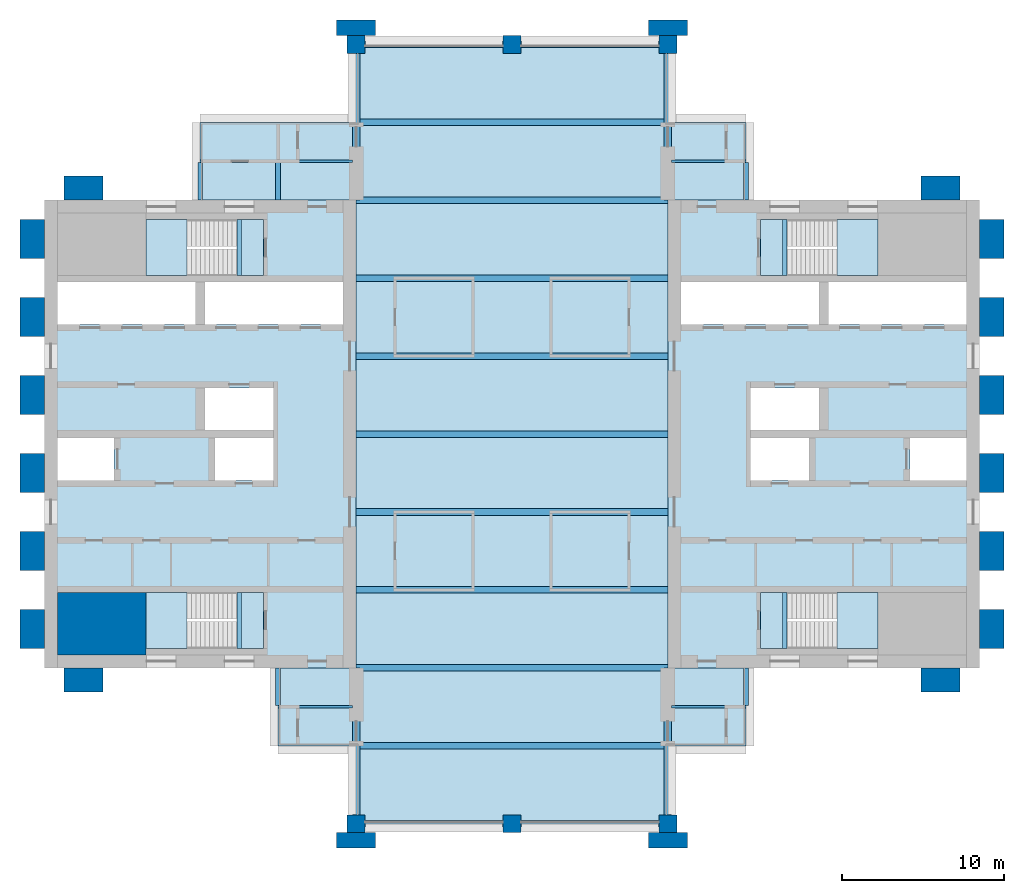
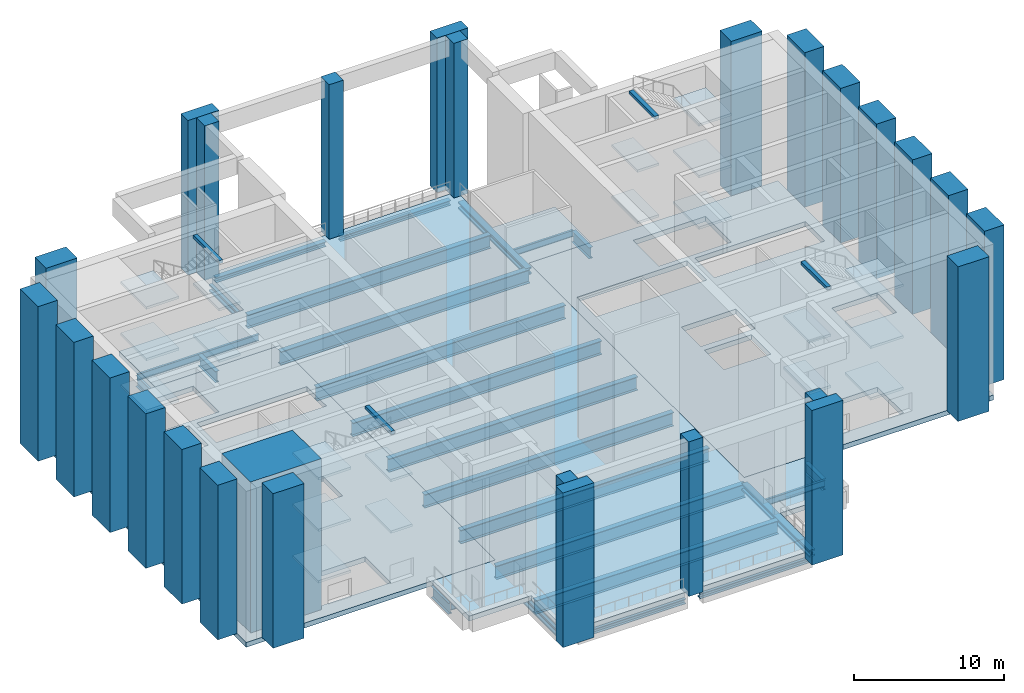
# One storey, part 1 of 8: 30 beams, 26 columns, 23 slabs, 1 wall, 4 elements without a shape of their own.
"""IFC4 building model written with IfcOpenShell, lengths in metres."""

from ifc_helpers import new_model, si_unit, direction, frame, frame_2d, origin, origin_2d, place, context, subcontext, project, spatial, polyline, rectangle, i_section, outline, extrude, material, layer, layer_set, material_profile, profile_set, type_object, element, aggregate, save


model = new_model("IFC4")

# Units and contexts
model_context = context("Model", 3, precision=1e-05, world=origin(), true_north=direction((0.0, 1.0)))
body_context = subcontext(model_context, "Body", "Model", "MODEL_VIEW")
ifc_project = project(units=[si_unit("LENGTHUNIT", "METRE"), si_unit("AREAUNIT", "SQUARE_METRE"), si_unit("VOLUMEUNIT", "CUBIC_METRE"), si_unit("PLANEANGLEUNIT", "RADIAN"), si_unit("MASSUNIT", "GRAM", prefix="KILO")], contexts=[model_context])

# Site, building, storey
site_placement = place(None, origin())
site = spatial("IfcSite", under=ifc_project, at=site_placement, CompositionType="ELEMENT")
building_placement = place(site_placement, origin())
building = spatial("IfcBuilding", under=site, at=building_placement, Name="Baori Bourse Tower", CompositionType="ELEMENT")
storey_placement = place(building_placement, frame((0.0, 0.0, 269.699951171875)))
storey = spatial("IfcBuildingStorey", under=building, at=storey_placement, Name="L60", CompositionType="ELEMENT", Elevation=269.699951171875)

# Columns
ifc_material_1 = material(Name="Concrete f'c 60 MPa", Category="concrete")
ifc_material_profile_1 = material_profile(ifc_material_1, rectangle(XDim=2.39990234375, YDim=0.949951171875, at=origin_2d()), Name="RC 2400x950")
ifc_profile_set_1 = profile_set([ifc_material_profile_1], Name="Concrete f'c 60 MPa")
column_type_1 = type_object("IfcColumnType", Name="FN3 Brick pilaster 2400x950", PredefinedType="PILASTER", material=ifc_profile_set_1)
for number, where, z_axis, x_axis, name in (
    (1, (19.199951171875, -1.02490234375, 0.0), (0.0, 0.0, 1.0), (1.0, 0.0, 0.0), "Brick pilaster L60 17"),
    (2, (38.39990234375, -1.02490234375, 0.0), (0.0, 0.0, 1.0), (1.0, 0.0, 0.0), "Brick pilaster L60 18"),
    (3, (19.199951171875, 49.02490234375, 0.0), (0.0, 0.0, 1.0), (1.0, 0.0, 0.0), "Brick pilaster L60 19"),
    (4, (38.39990234375, 49.02490234375, 0.0), (0.0, 0.0, 1.0), (1.0, 0.0, 0.0), "Brick pilaster L60 20"),
):
    element("IfcColumn", number, at=place(storey_placement, frame(where, z_axis=z_axis, x_axis=x_axis)), inside=storey, type_object=column_type_1, Name=name, PredefinedType="PILASTER", context=body_context, shape_type="SweptSolid", body=[
        extrude(rectangle(XDim=2.39990234375, YDim=0.949951171875, at=origin_2d()), origin(), (0.0, 0.0, 1.0), 12.60009765625),
    ])
ifc_material_2 = material(Name="Concrete f'c 60 MPa", Category="concrete")
ifc_material_profile_2 = material_profile(ifc_material_2, rectangle(XDim=2.39990234375, YDim=1.5, at=origin_2d()), Name="RC 2400x1500")
ifc_profile_set_2 = profile_set([ifc_material_profile_2], Name="Concrete f'c 60 MPa")
column_type_2 = type_object("IfcColumnType", Name="FN4 Brick flank pilaster 2400x1500", PredefinedType="PILASTER", material=ifc_profile_set_2)
for number, where, z_axis, x_axis, name in (
    (5, (55.199951171875, 8.85009765625, 0.0), (0.0, 0.0, 1.0), (1.0, 0.0, 0.0), "Brick pilaster L60 1"),
    (6, (58.35009765625, 12.0, 0.0), (0.0, 0.0, 1.0), (0.0, 1.0, 0.0), "Brick pilaster L60 2"),
    (7, (58.35009765625, 16.800048828125, 0.0), (0.0, 0.0, 1.0), (0.0, 1.0, 0.0), "Brick pilaster L60 3"),
    (8, (58.35009765625, 21.60009765625, 0.0), (0.0, 0.0, 1.0), (0.0, 1.0, 0.0), "Brick pilaster L60 4"),
    (9, (58.35009765625, 26.39990234375, 0.0), (0.0, 0.0, 1.0), (0.0, 1.0, 0.0), "Brick pilaster L60 5"),
    (10, (58.35009765625, 31.199951171875, 0.0), (0.0, 0.0, 1.0), (0.0, 1.0, 0.0), "Brick pilaster L60 6"),
    (11, (58.35009765625, 36.0, 0.0), (0.0, 0.0, 1.0), (0.0, 1.0, 0.0), "Brick pilaster L60 7"),
    (12, (55.199951171875, 39.14990234375, 0.0), (0.0, 0.0, 1.0), (1.0, 0.0, 0.0), "Brick pilaster L60 8"),
    (13, (2.39990234375, 39.14990234375, 0.0), (0.0, 0.0, 1.0), (1.0, 0.0, 0.0), "Brick pilaster L60 9"),
    (14, (-0.75, 12.0, 0.0), (0.0, 0.0, 1.0), (0.0, 1.0, 0.0), "Brick pilaster L60 10"),
    (15, (-0.75, 16.800048828125, 0.0), (0.0, 0.0, 1.0), (0.0, 1.0, 0.0), "Brick pilaster L60 11"),
    (16, (-0.75, 21.60009765625, 0.0), (0.0, 0.0, 1.0), (0.0, 1.0, 0.0), "Brick pilaster L60 12"),
    (17, (-0.75, 26.39990234375, 0.0), (0.0, 0.0, 1.0), (0.0, 1.0, 0.0), "Brick pilaster L60 13"),
    (18, (-0.75, 31.199951171875, 0.0), (0.0, 0.0, 1.0), (0.0, 1.0, 0.0), "Brick pilaster L60 14"),
    (19, (-0.75, 36.0, 0.0), (0.0, 0.0, 1.0), (0.0, 1.0, 0.0), "Brick pilaster L60 15"),
    (20, (2.39990234375, 8.85009765625, 0.0), (0.0, 0.0, 1.0), (1.0, 0.0, 0.0), "Brick pilaster L60 16"),
):
    element("IfcColumn", number, at=place(storey_placement, frame(where, z_axis=z_axis, x_axis=x_axis)), inside=storey, type_object=column_type_2, Name=name, PredefinedType="PILASTER", context=body_context, shape_type="SweptSolid", body=[
        extrude(rectangle(XDim=2.39990234375, YDim=1.5, at=origin_2d()), origin(), (0.0, 0.0, 1.0), 12.60009765625),
    ])
ifc_material_3 = material(Name="Concrete f'c 50 MPa", Category="concrete")
ifc_material_profile_3 = material_profile(ifc_material_3, rectangle(XDim=1.10009765625, YDim=1.10009765625, at=origin_2d()), Name="RC 1100x1100")
ifc_profile_set_3 = profile_set([ifc_material_profile_3], Name="Concrete f'c 50 MPa")
column_type_3 = type_object("IfcColumnType", Name="Perimeter column 50 RC 1100x1100", PredefinedType="COLUMN", material=ifc_profile_set_3)
for number, where, z_axis, x_axis, name in (
    (21, (19.199951171875, 0.0, 0.0), (0.0, 0.0, 1.0), (1.0, 0.0, 0.0), "Perimeter column L60"),
    (22, (28.800048828125, 0.0, 0.0), (0.0, 0.0, 1.0), (1.0, 0.0, 0.0), "Perimeter column L60"),
    (23, (38.39990234375, 0.0, 0.0), (0.0, 0.0, 1.0), (1.0, 0.0, 0.0), "Perimeter column L60"),
    (24, (19.199951171875, 48.0, 0.0), (0.0, 0.0, 1.0), (1.0, 0.0, 0.0), "Perimeter column L60"),
    (25, (28.800048828125, 48.0, 0.0), (0.0, 0.0, 1.0), (1.0, 0.0, 0.0), "Perimeter column L60"),
    (26, (38.39990234375, 48.0, 0.0), (0.0, 0.0, 1.0), (1.0, 0.0, 0.0), "Perimeter column L60"),
):
    element("IfcColumn", number, at=place(storey_placement, frame(where, z_axis=z_axis, x_axis=x_axis)), inside=storey, type_object=column_type_3, Name=name, PredefinedType="COLUMN", context=body_context, shape_type="SweptSolid", body=[
        extrude(rectangle(XDim=1.10009765625, YDim=1.10009765625, at=origin_2d()), origin(), (0.0, 0.0, 1.0), 12.60009765625),
    ])

# Beams
ifc_material_4 = material(Name="Steel A913 Gr 65", Category="steel")
ifc_material_profile_4 = material_profile(ifc_material_4, i_section(OverallWidth=0.4013671875, OverallDepth=0.398681640625, WebThickness=0.02490234375, FlangeThickness=0.03955078125, at=origin_2d()), Name="W14x211")
ifc_profile_set_4 = profile_set([ifc_material_profile_4], Name="Steel A913 Gr 65")
beam_type_1 = type_object("IfcBeamType", Name="Belt truss chord W14x211", PredefinedType="BEAM", material=ifc_profile_set_4)
for number, where, z_axis, x_axis, name in (
    (27, (19.75, 0.0, -0.599365234375), (1.0, 0.0, 0.0), (0.0, 1.0, 0.0), "Belt truss chord L60"),
    (28, (29.35009765625, 0.0, -0.599365234375), (1.0, 0.0, 0.0), (0.0, 1.0, 0.0), "Belt truss chord L60"),
    (29, (19.75, 48.0, -0.599365234375), (1.0, 0.0, 0.0), (0.0, 1.0, 0.0), "Belt truss chord L60"),
    (30, (29.35009765625, 48.0, -0.599365234375), (1.0, 0.0, 0.0), (0.0, 1.0, 0.0), "Belt truss chord L60"),
):
    element("IfcBeam", number, at=place(storey_placement, frame(where, z_axis=z_axis, x_axis=x_axis)), inside=storey, type_object=beam_type_1, Name=name, PredefinedType="BEAM", context=body_context, shape_type="SweptSolid", body=[
        extrude(i_section(OverallWidth=0.4013671875, OverallDepth=0.398681640625, WebThickness=0.02490234375, FlangeThickness=0.03955078125, at=origin_2d()), origin(), (0.0, 0.0, 1.0), 8.5),
    ])
ifc_material_5 = material(Name="Steel A992 Gr 50", Category="steel")
ifc_material_profile_5 = material_profile(ifc_material_5, i_section(OverallWidth=0.3046875, OverallDepth=0.904296875, WebThickness=0.01513671875, FlangeThickness=0.02001953125, at=origin_2d()), Name="W36x135")
ifc_profile_set_5 = profile_set([ifc_material_profile_5], Name="Steel A992 Gr 50")
beam_type_2 = type_object("IfcBeamType", Name="Core bracket W36x135", PredefinedType="BEAM", material=ifc_profile_set_5)
for number, where, z_axis, x_axis, name in (
    (31, (9.60009765625, 38.39990234375, -0.85205078125), (0.0, 1.0, 0.0), (-1.0, 0.0, 0.0), "Core bracket L60"),
    (32, (14.39990234375, 7.282470703125, -0.85205078125), (0.0, 1.0, 0.0), (-1.0, 0.0, 0.0), "Core bracket L60"),
    (33, (14.39990234375, 38.39990234375, -0.85205078125), (0.0, 1.0, 0.0), (-1.0, 0.0, 0.0), "Core bracket L60"),
    (34, (43.199951171875, 7.282470703125, -0.85205078125), (0.0, 1.0, 0.0), (-1.0, 0.0, 0.0), "Core bracket L60"),
    (35, (43.199951171875, 38.39990234375, -0.85205078125), (0.0, 1.0, 0.0), (-1.0, 0.0, 0.0), "Core bracket L60"),
):
    element("IfcBeam", number, at=place(storey_placement, frame(where, z_axis=z_axis, x_axis=x_axis)), inside=storey, type_object=beam_type_2, Name=name, PredefinedType="BEAM", context=body_context, shape_type="SweptSolid", body=[
        extrude(i_section(OverallWidth=0.3046875, OverallDepth=0.904296875, WebThickness=0.01513671875, FlangeThickness=0.02001953125, at=origin_2d()), origin(), (0.0, 0.0, 1.0), 2.317626953125),
    ])
ifc_material_6 = material(Name="Steel A992 Gr 50", Category="steel")
ifc_material_profile_6 = material_profile(ifc_material_6, i_section(OverallWidth=0.4013671875, OverallDepth=1.107421875, WebThickness=0.02197265625, FlangeThickness=0.0400390625, at=origin_2d()), Name="W44x290")
ifc_profile_set_6 = profile_set([ifc_material_profile_6], Name="Steel A992 Gr 50")
beam_type_3 = type_object("IfcBeamType", Name="Floor beam W44x290", PredefinedType="BEAM", material=ifc_profile_set_6)
beam_1_placement = place(storey_placement, frame((19.42724609375, 4.800048828125, -0.95361328125), z_axis=(1.0, 0.0, 0.0), x_axis=(0.0, 1.0, 0.0)))
element("IfcBeam", 36, at=beam_1_placement, inside=storey, type_object=beam_type_3, Name="Floor beam L60", PredefinedType="BEAM", context=body_context, shape_type="SweptSolid", body=[
    extrude(i_section(OverallWidth=0.4013671875, OverallDepth=1.107421875, WebThickness=0.02197265625, FlangeThickness=0.0400390625, at=origin_2d()), origin(), (0.0, 0.0, 1.0), 18.745361328125),
])
for number, where, z_axis, x_axis, name in (
    (37, (19.199951171875, 9.60009765625, -0.95361328125), (1.0, 0.0, 0.0), (0.0, 1.0, 0.0), "Floor beam L60"),
    (38, (19.199951171875, 14.39990234375, -0.95361328125), (1.0, 0.0, 0.0), (0.0, 1.0, 0.0), "Floor beam L60"),
    (39, (19.199951171875, 19.199951171875, -0.95361328125), (1.0, 0.0, 0.0), (0.0, 1.0, 0.0), "Floor beam L60"),
    (40, (19.199951171875, 24.0, -0.95361328125), (1.0, 0.0, 0.0), (0.0, 1.0, 0.0), "Floor beam L60"),
    (41, (19.199951171875, 28.800048828125, -0.95361328125), (1.0, 0.0, 0.0), (0.0, 1.0, 0.0), "Floor beam L60"),
    (42, (19.199951171875, 33.60009765625, -0.95361328125), (1.0, 0.0, 0.0), (0.0, 1.0, 0.0), "Floor beam L60"),
    (43, (19.199951171875, 38.39990234375, -0.95361328125), (1.0, 0.0, 0.0), (0.0, 1.0, 0.0), "Floor beam L60"),
):
    element("IfcBeam", number, at=place(storey_placement, frame(where, z_axis=z_axis, x_axis=x_axis)), inside=storey, type_object=beam_type_3, Name=name, PredefinedType="BEAM", context=body_context, shape_type="SweptSolid", body=[
        extrude(i_section(OverallWidth=0.4013671875, OverallDepth=1.107421875, WebThickness=0.02197265625, FlangeThickness=0.0400390625, at=origin_2d()), origin(), (0.0, 0.0, 1.0), 19.199951171875),
    ])
beam_2_placement = place(storey_placement, frame((19.42724609375, 43.199951171875, -0.95361328125), z_axis=(1.0, 0.0, 0.0), x_axis=(0.0, 1.0, 0.0)))
element("IfcBeam", 44, at=beam_2_placement, inside=storey, type_object=beam_type_3, Name="Floor beam L60", PredefinedType="BEAM", context=body_context, shape_type="SweptSolid", body=[
    extrude(i_section(OverallWidth=0.4013671875, OverallDepth=1.107421875, WebThickness=0.02197265625, FlangeThickness=0.0400390625, at=origin_2d()), origin(), (0.0, 0.0, 1.0), 18.745361328125),
])
ifc_material_7 = material(Name="Steel A913 Gr 65", Category="steel")
ifc_material_profile_7 = material_profile(ifc_material_7, i_section(OverallWidth=0.45458984375, OverallDepth=0.56884765625, WebThickness=0.077880859375, FlangeThickness=0.124755859375, at=origin_2d()), Name="W14x730")
ifc_profile_set_7 = profile_set([ifc_material_profile_7], Name="Steel A913 Gr 65")
beam_type_4 = type_object("IfcBeamType", Name="Outrigger truss chord W14x730", PredefinedType="BEAM", material=ifc_profile_set_7)
for number, where, z_axis, x_axis, name in (
    (45, (19.199951171875, 0.550048828125, -0.684326171875), (0.0, 1.0, 0.0), (-1.0, 0.0, 0.0), "Outrigger truss chord L60"),
    (46, (19.199951171875, 38.39990234375, -0.684326171875), (0.0, 1.0, 0.0), (-1.0, 0.0, 0.0), "Outrigger truss chord L60"),
    (47, (38.39990234375, 0.550048828125, -0.684326171875), (0.0, 1.0, 0.0), (-1.0, 0.0, 0.0), "Outrigger truss chord L60"),
    (48, (38.39990234375, 38.39990234375, -0.684326171875), (0.0, 1.0, 0.0), (-1.0, 0.0, 0.0), "Outrigger truss chord L60"),
):
    element("IfcBeam", number, at=place(storey_placement, frame(where, z_axis=z_axis, x_axis=x_axis)), inside=storey, type_object=beam_type_4, Name=name, PredefinedType="BEAM", context=body_context, shape_type="SweptSolid", body=[
        extrude(i_section(OverallWidth=0.45458984375, OverallDepth=0.56884765625, WebThickness=0.077880859375, FlangeThickness=0.124755859375, at=origin_2d()), origin(), (0.0, 0.0, 1.0), 9.050048828125),
    ])
ifc_material_8 = material(Name="Concrete f'c 50 MPa", Category="concrete")
ifc_material_profile_8 = material_profile(ifc_material_8, rectangle(XDim=0.300048828125, YDim=0.25, at=origin_2d()), Name="RC 300x250")
ifc_profile_set_8 = profile_set([ifc_material_profile_8], Name="Concrete f'c 50 MPa")
beam_type_5 = type_object("IfcBeamType", Name="Stair nib beam RC 300x250", PredefinedType="BEAM", material=ifc_profile_set_8)
for number, where, z_axis, x_axis, name in (
    (49, (12.0, 10.800048828125, 12.175048828125), (0.0, 1.0, 0.0), (-1.0, 0.0, 0.0), "Stair WA nib beam L61"),
    (50, (12.0, 33.75, 12.175048828125), (0.0, 1.0, 0.0), (-1.0, 0.0, 0.0), "Stair WB nib beam L61"),
    (51, (45.60009765625, 10.800048828125, 12.175048828125), (0.0, 1.0, 0.0), (-1.0, 0.0, 0.0), "Stair EA nib beam L61"),
    (52, (45.60009765625, 33.75, 12.175048828125), (0.0, 1.0, 0.0), (-1.0, 0.0, 0.0), "Stair EB nib beam L61"),
):
    element("IfcBeam", number, at=place(storey_placement, frame(where, z_axis=z_axis, x_axis=x_axis)), inside=storey, type_object=beam_type_5, Name=name, PredefinedType="BEAM", context=body_context, shape_type="SweptSolid", body=[
        extrude(rectangle(XDim=0.300048828125, YDim=0.25, at=origin_2d()), origin(), (0.0, 0.0, 1.0), 3.449951171875),
    ])
ifc_material_9 = material(Name="Steel A992 Gr 50", Category="steel")
ifc_material_profile_9 = material_profile(ifc_material_9, i_section(OverallWidth=0.1650390625, OverallDepth=0.52587890625, WebThickness=0.0087890625, FlangeThickness=0.011474609375, at=origin_2d()), Name="W21x44")
ifc_profile_set_9 = profile_set([ifc_material_profile_9], Name="Steel A992 Gr 50")
beam_type_6 = type_object("IfcBeamType", Name="Trimmer beam W21x44", PredefinedType="BEAM", material=ifc_profile_set_9)
beam_3_placement = place(storey_placement, frame((14.39990234375, 7.199951171875, -0.662841796875), z_axis=(1.0, 0.0, 0.0), x_axis=(0.0, 1.0, 0.0)))
element("IfcBeam", 53, at=beam_3_placement, inside=storey, type_object=beam_type_6, Name="Trimmer beam L60", PredefinedType="BEAM", context=body_context, shape_type="SweptSolid", body=[
    extrude(i_section(OverallWidth=0.1650390625, OverallDepth=0.52587890625, WebThickness=0.0087890625, FlangeThickness=0.011474609375, at=origin_2d()), origin(), (0.0, 0.0, 1.0), 4.57275390625),
])
beam_4_placement = place(storey_placement, frame((38.62744140625, 7.199951171875, -0.662841796875), z_axis=(1.0, 0.0, 0.0), x_axis=(0.0, 1.0, 0.0)))
element("IfcBeam", 54, at=beam_4_placement, inside=storey, type_object=beam_type_6, Name="Trimmer beam L60", PredefinedType="BEAM", context=body_context, shape_type="SweptSolid", body=[
    extrude(i_section(OverallWidth=0.1650390625, OverallDepth=0.52587890625, WebThickness=0.0087890625, FlangeThickness=0.011474609375, at=origin_2d()), origin(), (0.0, 0.0, 1.0), 4.572509765625),
])
beam_5_placement = place(storey_placement, frame((9.60009765625, 40.800048828125, -0.662841796875), z_axis=(1.0, 0.0, 0.0), x_axis=(0.0, 1.0, 0.0)))
element("IfcBeam", 55, at=beam_5_placement, inside=storey, type_object=beam_type_6, Name="Trimmer beam L60", PredefinedType="BEAM", context=body_context, shape_type="SweptSolid", body=[
    extrude(i_section(OverallWidth=0.1650390625, OverallDepth=0.52587890625, WebThickness=0.0087890625, FlangeThickness=0.011474609375, at=origin_2d()), origin(), (0.0, 0.0, 1.0), 9.37255859375),
])
beam_6_placement = place(storey_placement, frame((38.62744140625, 40.800048828125, -0.662841796875), z_axis=(1.0, 0.0, 0.0), x_axis=(0.0, 1.0, 0.0)))
element("IfcBeam", 56, at=beam_6_placement, inside=storey, type_object=beam_type_6, Name="Trimmer beam L60", PredefinedType="BEAM", context=body_context, shape_type="SweptSolid", body=[
    extrude(i_section(OverallWidth=0.1650390625, OverallDepth=0.52587890625, WebThickness=0.0087890625, FlangeThickness=0.011474609375, at=origin_2d()), origin(), (0.0, 0.0, 1.0), 4.572509765625),
])

# Slabs
ifc_material_10 = material(Name="Concrete f'c 50 MPa", Category="concrete")
ifc_layer_1 = layer(ifc_material_10, 0.39990234375)
ifc_layer_set_1 = layer_set([ifc_layer_1], Name="Core slab 400")
slab_type_1 = type_object("IfcSlabType", Name="Core slab 400", PredefinedType="FLOOR", material=ifc_layer_set_1)
slab_1_placement = place(storey_placement, frame((0.0, 0.0, -0.39990234375)))
element("IfcSlab", 57, at=slab_1_placement, inside=storey, type_object=slab_type_1, Name="Core floor slab W01", PredefinedType="FLOOR", context=body_context, shape_type="SweptSolid", body=[
    extrude(outline(polyline([(19.199951171875, 38.39990234375), (0.0, 38.39990234375), (0.0, 9.60009765625), (19.199951171875, 9.60009765625), (19.199951171875, 38.39990234375)]), holes=[polyline([(9.89990234375, 33.35009765625), (18.39990234375, 33.35009765625), (18.39990234375, 30.75), (9.89990234375, 30.75), (9.89990234375, 33.35009765625)]), polyline([(10.5, 21.14990234375), (10.5, 23.75), (14.10009765625, 23.75), (14.10009765625, 21.14990234375), (10.5, 21.14990234375)]), polyline([(14.10009765625, 24.25), (9.89990234375, 24.25), (9.89990234375, 26.85009765625), (14.10009765625, 26.85009765625), (14.10009765625, 24.25)]), polyline([(6.25, 14.25), (11.84912109375, 14.25), (11.84912109375, 10.800048828125), (6.25, 10.800048828125), (6.25, 14.25)]), polyline([(11.84912109375, 37.199951171875), (11.84912109375, 33.75), (6.25, 33.75), (6.25, 37.199951171875), (11.84912109375, 37.199951171875)]), polyline([(0.800048828125, 30.75), (0.800048828125, 33.35009765625), (9.300048828125, 33.35009765625), (9.300048828125, 30.75), (0.800048828125, 30.75)]), polyline([(4.300048828125, 23.75), (4.300048828125, 21.14990234375), (0.800048828125, 21.14990234375), (0.800048828125, 23.75), (4.300048828125, 23.75)])]), origin(), (0.0, 0.0, 1.0), 0.39990234375),
])
slab_2_placement = place(storey_placement, frame((0.0, 0.0, -0.39990234375)))
element("IfcSlab", 58, at=slab_2_placement, inside=storey, type_object=slab_type_1, Name="Core floor slab E01", PredefinedType="FLOOR", context=body_context, shape_type="SweptSolid", body=[
    extrude(outline(polyline([(57.60009765625, 9.60009765625), (57.60009765625, 38.39990234375), (38.39990234375, 38.39990234375), (38.39990234375, 9.60009765625), (57.60009765625, 9.60009765625)]), holes=[polyline([(48.300048828125, 33.35009765625), (56.800048828125, 33.35009765625), (56.800048828125, 30.75), (48.300048828125, 30.75), (48.300048828125, 33.35009765625)]), polyline([(56.800048828125, 21.14990234375), (53.300048828125, 21.14990234375), (53.300048828125, 23.75), (56.800048828125, 23.75), (56.800048828125, 21.14990234375)]), polyline([(45.750732421875, 14.25), (51.35009765625, 14.25), (51.35009765625, 10.800048828125), (45.750732421875, 10.800048828125), (45.750732421875, 14.25)]), polyline([(51.35009765625, 37.199951171875), (51.35009765625, 33.75), (45.750732421875, 33.75), (45.750732421875, 37.199951171875), (51.35009765625, 37.199951171875)]), polyline([(43.5, 24.25), (43.5, 26.85009765625), (47.699951171875, 26.85009765625), (47.699951171875, 24.25), (43.5, 24.25)]), polyline([(47.699951171875, 33.35009765625), (47.699951171875, 30.75), (39.199951171875, 30.75), (39.199951171875, 33.35009765625), (47.699951171875, 33.35009765625)]), polyline([(43.5, 23.75), (47.10009765625, 23.75), (47.10009765625, 21.14990234375), (43.5, 21.14990234375), (43.5, 23.75)])]), origin(), (0.0, 0.0, 1.0), 0.39990234375),
])

# Stair, slabs
ifc_material_11 = material(Name="Concrete f'c 50 MPa", Category="concrete")
stair_type = type_object("IfcStairType", Name="Core stair", PredefinedType="HALF_TURN_STAIR", material=ifc_material_11)
stair_1_placement = place(storey_placement, origin())
stair_1 = element("IfcStair", 59, at=stair_1_placement, inside=storey, type_object=stair_type, Name="L60 Stair WA", PredefinedType="HALF_TURN_STAIR")
ifc_material_12 = material(Name="Concrete f'c 50 MPa", Category="concrete")
slab_type_2 = type_object("IfcSlabType", Name="Core stair landing", PredefinedType="LANDING", material=ifc_material_12)
slab_3_placement = place(storey_placement, frame((0.0, 0.0, 1.900146484375)))
slab_3 = element("IfcSlab", 60, at=slab_3_placement, type_object=slab_type_2, Name="ST1 landing 1", PredefinedType="LANDING", context=body_context, shape_type="SweptSolid", body=[
    extrude(outline(polyline([(8.77001953125, 14.25), (6.25, 14.25), (6.25, 10.800048828125), (8.77001953125, 10.800048828125), (8.77001953125, 14.25)])), origin(), (0.0, 0.0, 1.0), 0.199951171875),
])
slab_4_placement = place(storey_placement, frame((0.0, 0.0, 4.0)))
slab_4 = element("IfcSlab", 61, at=slab_4_placement, type_object=slab_type_2, Name="ST1 landing 2", PredefinedType="LANDING", context=body_context, shape_type="SweptSolid", body=[
    extrude(outline(polyline([(13.5, 14.25), (11.85009765625, 14.25), (11.85009765625, 10.800048828125), (13.5, 10.800048828125), (13.5, 14.25)])), origin(), (0.0, 0.0, 1.0), 0.199951171875),
])
slab_5_placement = place(storey_placement, frame((0.0, 0.0, 6.10009765625)))
slab_5 = element("IfcSlab", 62, at=slab_5_placement, type_object=slab_type_2, Name="ST1 landing 3", PredefinedType="LANDING", context=body_context, shape_type="SweptSolid", body=[
    extrude(outline(polyline([(8.77001953125, 14.25), (6.25, 14.25), (6.25, 10.800048828125), (8.77001953125, 10.800048828125), (8.77001953125, 14.25)])), origin(), (0.0, 0.0, 1.0), 0.199951171875),
])
slab_6_placement = place(storey_placement, frame((0.0, 0.0, 8.199951171875)))
slab_6 = element("IfcSlab", 63, at=slab_6_placement, type_object=slab_type_2, Name="ST1 landing 4", PredefinedType="LANDING", context=body_context, shape_type="SweptSolid", body=[
    extrude(outline(polyline([(13.5, 14.25), (11.85009765625, 14.25), (11.85009765625, 10.800048828125), (13.5, 10.800048828125), (13.5, 14.25)])), origin(), (0.0, 0.0, 1.0), 0.2001953125),
])
slab_7_placement = place(storey_placement, frame((0.0, 0.0, 10.300048828125)))
slab_7 = element("IfcSlab", 64, at=slab_7_placement, type_object=slab_type_2, Name="ST1 landing 5", PredefinedType="LANDING", context=body_context, shape_type="SweptSolid", body=[
    extrude(outline(polyline([(8.77001953125, 14.25), (6.25, 14.25), (6.25, 10.800048828125), (8.77001953125, 10.800048828125), (8.77001953125, 14.25)])), origin(), (0.0, 0.0, 1.0), 0.199951171875),
])
aggregate(stair_1, [slab_3, slab_4, slab_5, slab_6, slab_7])

stair_2_placement = place(storey_placement, origin())
stair_2 = element("IfcStair", 65, at=stair_2_placement, inside=storey, type_object=stair_type, Name="L60 Stair WB", PredefinedType="HALF_TURN_STAIR")
slab_8_placement = place(storey_placement, frame((0.0, 0.0, 1.900146484375)))
slab_8 = element("IfcSlab", 66, at=slab_8_placement, type_object=slab_type_2, Name="ST2 landing 1", PredefinedType="LANDING", context=body_context, shape_type="SweptSolid", body=[
    extrude(outline(polyline([(8.77001953125, 37.199951171875), (6.25, 37.199951171875), (6.25, 33.75), (8.77001953125, 33.75), (8.77001953125, 37.199951171875)])), origin(), (0.0, 0.0, 1.0), 0.199951171875),
])
slab_9_placement = place(storey_placement, frame((0.0, 0.0, 4.0)))
slab_9 = element("IfcSlab", 67, at=slab_9_placement, type_object=slab_type_2, Name="ST2 landing 2", PredefinedType="LANDING", context=body_context, shape_type="SweptSolid", body=[
    extrude(outline(polyline([(13.5, 37.199951171875), (11.85009765625, 37.199951171875), (11.85009765625, 33.75), (13.5, 33.75), (13.5, 37.199951171875)])), origin(), (0.0, 0.0, 1.0), 0.199951171875),
])
slab_10_placement = place(storey_placement, frame((0.0, 0.0, 6.10009765625)))
slab_10 = element("IfcSlab", 68, at=slab_10_placement, type_object=slab_type_2, Name="ST2 landing 3", PredefinedType="LANDING", context=body_context, shape_type="SweptSolid", body=[
    extrude(outline(polyline([(8.77001953125, 37.199951171875), (6.25, 37.199951171875), (6.25, 33.75), (8.77001953125, 33.75), (8.77001953125, 37.199951171875)])), origin(), (0.0, 0.0, 1.0), 0.199951171875),
])
slab_11_placement = place(storey_placement, frame((0.0, 0.0, 8.199951171875)))
slab_11 = element("IfcSlab", 69, at=slab_11_placement, type_object=slab_type_2, Name="ST2 landing 4", PredefinedType="LANDING", context=body_context, shape_type="SweptSolid", body=[
    extrude(outline(polyline([(13.5, 37.199951171875), (11.85009765625, 37.199951171875), (11.85009765625, 33.75), (13.5, 33.75), (13.5, 37.199951171875)])), origin(), (0.0, 0.0, 1.0), 0.2001953125),
])
slab_12_placement = place(storey_placement, frame((0.0, 0.0, 10.300048828125)))
slab_12 = element("IfcSlab", 70, at=slab_12_placement, type_object=slab_type_2, Name="ST2 landing 5", PredefinedType="LANDING", context=body_context, shape_type="SweptSolid", body=[
    extrude(outline(polyline([(8.77001953125, 37.199951171875), (6.25, 37.199951171875), (6.25, 33.75), (8.77001953125, 33.75), (8.77001953125, 37.199951171875)])), origin(), (0.0, 0.0, 1.0), 0.199951171875),
])
aggregate(stair_2, [slab_8, slab_9, slab_10, slab_11, slab_12])

stair_3_placement = place(storey_placement, origin())
stair_3 = element("IfcStair", 71, at=stair_3_placement, inside=storey, type_object=stair_type, Name="L60 Stair EA", PredefinedType="HALF_TURN_STAIR")
slab_13_placement = place(storey_placement, frame((0.0, 0.0, 1.900146484375)))
slab_13 = element("IfcSlab", 72, at=slab_13_placement, type_object=slab_type_2, Name="ST3 landing 1", PredefinedType="LANDING", context=body_context, shape_type="SweptSolid", body=[
    extrude(outline(polyline([(48.830078125, 10.800048828125), (51.35009765625, 10.800048828125), (51.35009765625, 14.25), (48.830078125, 14.25), (48.830078125, 10.800048828125)])), origin(), (0.0, 0.0, 1.0), 0.199951171875),
])
slab_14_placement = place(storey_placement, frame((0.0, 0.0, 4.0)))
slab_14 = element("IfcSlab", 73, at=slab_14_placement, type_object=slab_type_2, Name="ST3 landing 2", PredefinedType="LANDING", context=body_context, shape_type="SweptSolid", body=[
    extrude(outline(polyline([(44.10009765625, 10.800048828125), (45.75, 10.800048828125), (45.75, 14.25), (44.10009765625, 14.25), (44.10009765625, 10.800048828125)])), origin(), (0.0, 0.0, 1.0), 0.199951171875),
])
slab_15_placement = place(storey_placement, frame((0.0, 0.0, 6.10009765625)))
slab_15 = element("IfcSlab", 74, at=slab_15_placement, type_object=slab_type_2, Name="ST3 landing 3", PredefinedType="LANDING", context=body_context, shape_type="SweptSolid", body=[
    extrude(outline(polyline([(48.830078125, 10.800048828125), (51.35009765625, 10.800048828125), (51.35009765625, 14.25), (48.830078125, 14.25), (48.830078125, 10.800048828125)])), origin(), (0.0, 0.0, 1.0), 0.199951171875),
])
slab_16_placement = place(storey_placement, frame((0.0, 0.0, 8.199951171875)))
slab_16 = element("IfcSlab", 75, at=slab_16_placement, type_object=slab_type_2, Name="ST3 landing 4", PredefinedType="LANDING", context=body_context, shape_type="SweptSolid", body=[
    extrude(outline(polyline([(44.10009765625, 10.800048828125), (45.75, 10.800048828125), (45.75, 14.25), (44.10009765625, 14.25), (44.10009765625, 10.800048828125)])), origin(), (0.0, 0.0, 1.0), 0.2001953125),
])
slab_17_placement = place(storey_placement, frame((0.0, 0.0, 10.300048828125)))
slab_17 = element("IfcSlab", 76, at=slab_17_placement, type_object=slab_type_2, Name="ST3 landing 5", PredefinedType="LANDING", context=body_context, shape_type="SweptSolid", body=[
    extrude(outline(polyline([(48.830078125, 10.800048828125), (51.35009765625, 10.800048828125), (51.35009765625, 14.25), (48.830078125, 14.25), (48.830078125, 10.800048828125)])), origin(), (0.0, 0.0, 1.0), 0.199951171875),
])
aggregate(stair_3, [slab_13, slab_14, slab_15, slab_16, slab_17])

stair_4_placement = place(storey_placement, origin())
stair_4 = element("IfcStair", 77, at=stair_4_placement, inside=storey, type_object=stair_type, Name="L60 Stair EB", PredefinedType="HALF_TURN_STAIR")
slab_18_placement = place(storey_placement, frame((0.0, 0.0, 1.900146484375)))
slab_18 = element("IfcSlab", 78, at=slab_18_placement, type_object=slab_type_2, Name="ST4 landing 1", PredefinedType="LANDING", context=body_context, shape_type="SweptSolid", body=[
    extrude(outline(polyline([(48.830078125, 33.75), (51.35009765625, 33.75), (51.35009765625, 37.199951171875), (48.830078125, 37.199951171875), (48.830078125, 33.75)])), origin(), (0.0, 0.0, 1.0), 0.199951171875),
])
slab_19_placement = place(storey_placement, frame((0.0, 0.0, 4.0)))
slab_19 = element("IfcSlab", 79, at=slab_19_placement, type_object=slab_type_2, Name="ST4 landing 2", PredefinedType="LANDING", context=body_context, shape_type="SweptSolid", body=[
    extrude(outline(polyline([(44.10009765625, 33.75), (45.75, 33.75), (45.75, 37.199951171875), (44.10009765625, 37.199951171875), (44.10009765625, 33.75)])), origin(), (0.0, 0.0, 1.0), 0.199951171875),
])
slab_20_placement = place(storey_placement, frame((0.0, 0.0, 6.10009765625)))
slab_20 = element("IfcSlab", 80, at=slab_20_placement, type_object=slab_type_2, Name="ST4 landing 3", PredefinedType="LANDING", context=body_context, shape_type="SweptSolid", body=[
    extrude(outline(polyline([(48.830078125, 33.75), (51.35009765625, 33.75), (51.35009765625, 37.199951171875), (48.830078125, 37.199951171875), (48.830078125, 33.75)])), origin(), (0.0, 0.0, 1.0), 0.199951171875),
])
slab_21_placement = place(storey_placement, frame((0.0, 0.0, 8.199951171875)))
slab_21 = element("IfcSlab", 81, at=slab_21_placement, type_object=slab_type_2, Name="ST4 landing 4", PredefinedType="LANDING", context=body_context, shape_type="SweptSolid", body=[
    extrude(outline(polyline([(44.10009765625, 33.75), (45.75, 33.75), (45.75, 37.199951171875), (44.10009765625, 37.199951171875), (44.10009765625, 33.75)])), origin(), (0.0, 0.0, 1.0), 0.2001953125),
])
slab_22_placement = place(storey_placement, frame((0.0, 0.0, 10.300048828125)))
slab_22 = element("IfcSlab", 82, at=slab_22_placement, type_object=slab_type_2, Name="ST4 landing 5", PredefinedType="LANDING", context=body_context, shape_type="SweptSolid", body=[
    extrude(outline(polyline([(48.830078125, 33.75), (51.35009765625, 33.75), (51.35009765625, 37.199951171875), (48.830078125, 37.199951171875), (48.830078125, 33.75)])), origin(), (0.0, 0.0, 1.0), 0.199951171875),
])
aggregate(stair_4, [slab_18, slab_19, slab_20, slab_21, slab_22])

# Slab
ifc_material_13 = material(Name="Concrete f'c 40 MPa", Category="concrete")
ifc_layer_2 = layer(ifc_material_13, 0.39990234375)
ifc_layer_set_2 = layer_set([ifc_layer_2], Name="Portal deck slab 400")
slab_type_3 = type_object("IfcSlabType", Name="Portal deck slab 400", PredefinedType="FLOOR", material=ifc_layer_set_2)
slab_23_placement = place(storey_placement, frame((0.0, 0.0, -0.39990234375)))
element("IfcSlab", 83, at=slab_23_placement, inside=storey, type_object=slab_type_3, Name="Portal deck slab L60", PredefinedType="FLOOR", context=body_context, shape_type="SweptSolid", body=[
    extrude(outline(polyline([(19.199951171875, 4.800048828125), (14.39990234375, 4.800048828125), (14.39990234375, 9.60009765625), (19.199951171875, 9.60009765625), (19.199951171875, 38.39990234375), (9.60009765625, 38.39990234375), (9.60009765625, 43.199951171875), (19.199951171875, 43.199951171875), (19.199951171875, 47.449951171875), (19.75, 47.449951171875), (19.75, 48.0), (28.25, 48.0), (28.25, 47.449951171875), (29.35009765625, 47.449951171875), (29.35009765625, 48.0), (37.85009765625, 48.0), (37.85009765625, 47.449951171875), (38.39990234375, 47.449951171875), (38.39990234375, 43.199951171875), (43.199951171875, 43.199951171875), (43.199951171875, 38.39990234375), (38.39990234375, 38.39990234375), (38.39990234375, 9.60009765625), (43.199951171875, 9.60009765625), (43.199951171875, 4.800048828125), (38.39990234375, 4.800048828125), (38.39990234375, 0.550048828125), (37.85009765625, 0.550048828125), (37.85009765625, 0.0), (29.35009765625, 0.0), (29.35009765625, 0.550048828125), (28.25, 0.550048828125), (28.25, 0.0), (19.75, 0.0), (19.75, 0.550048828125), (19.199951171875, 0.550048828125), (19.199951171875, 4.800048828125)])), origin(), (0.0, 0.0, 1.0), 0.39990234375),
])

# Wall
ifc_material_14 = material(Name="Concrete f'c 50 MPa", Category="concrete")
wall_type = type_object("IfcWallType", Name="Core corner block f'c 50", PredefinedType="SHEAR", material=ifc_material_14)
wall_placement = place(storey_placement, frame((0.800048828125, 12.324951171875, 0.0), z_axis=(0.0, 0.0, 1.0), x_axis=(1.0, 0.0, 0.0)))
element("IfcWall", 84, at=wall_placement, inside=storey, type_object=wall_type, Name="Core wall W04", PredefinedType="SHEAR", context=body_context, shape_type="SweptSolid", body=[
    extrude(rectangle(XDim=5.449951171875, YDim=3.85009765625, at=frame_2d((2.72509765625, 0.0))), origin(), (0.0, 0.0, 1.0), 12.300048828125),
])

save(model, "model.ifc")
